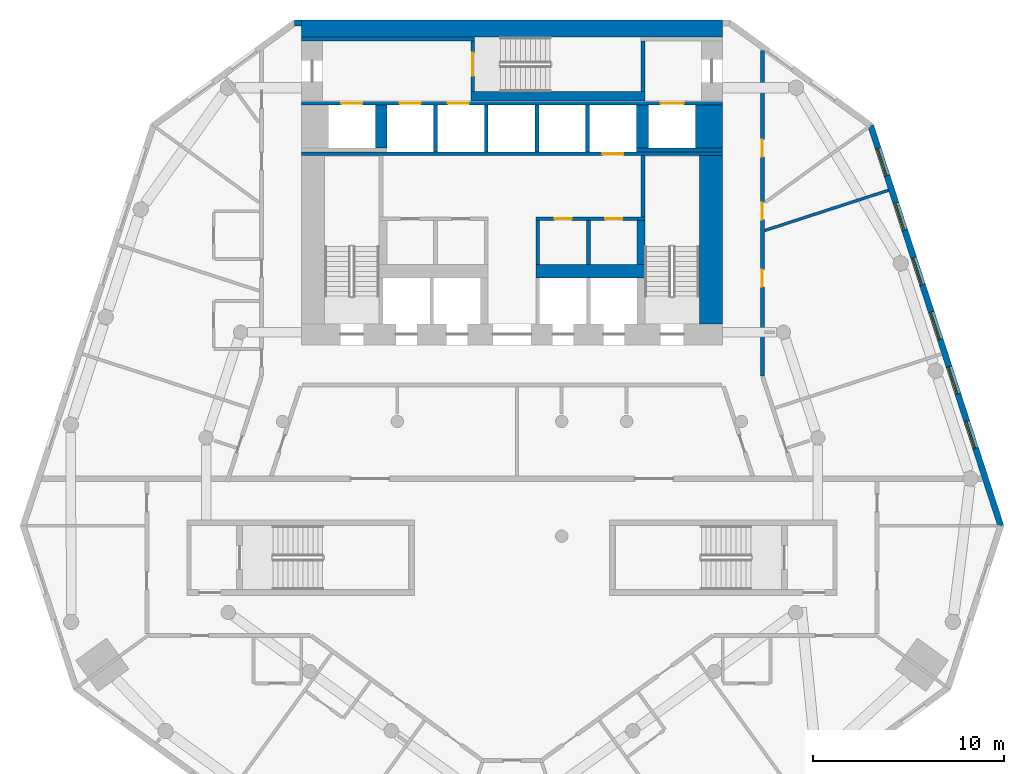
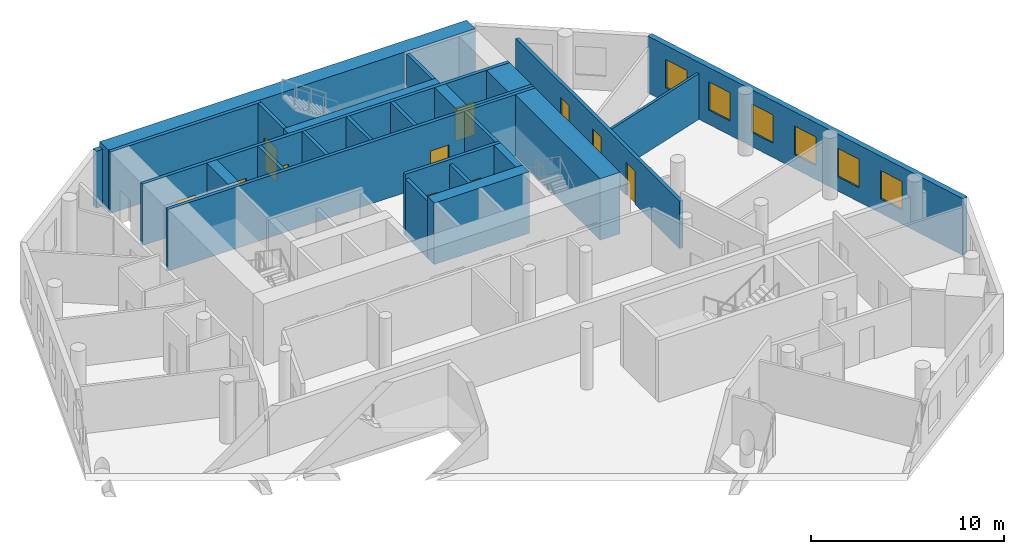
# One storey, part 6 of 9: 26 walls, 11 doors, 6 windows, 17 openings.
"""IFC4 building model written with IfcOpenShell, lengths in metres."""

from ifc_helpers import new_model, si_unit, direction, frame, frame_2d, origin, place, context, subcontext, project, spatial, rectangle, extrude, material, layer, layer_set, type_object, element, fill, save


model = new_model("IFC4")

# Units and contexts
model_context = context("Model", 3, precision=1e-05, world=origin(), true_north=direction((0.0, 1.0)))
body_context = subcontext(model_context, "Body", "Model", "MODEL_VIEW")
ifc_project = project(units=[si_unit("LENGTHUNIT", "METRE"), si_unit("AREAUNIT", "SQUARE_METRE"), si_unit("VOLUMEUNIT", "CUBIC_METRE"), si_unit("PLANEANGLEUNIT", "RADIAN"), si_unit("MASSUNIT", "GRAM", prefix="KILO")], contexts=[model_context])

# Site, building, storey
site_placement = place(None, origin())
site = spatial("IfcSite", under=ifc_project, at=site_placement, CompositionType="ELEMENT")
building_placement = place(site_placement, origin())
building = spatial("IfcBuilding", under=site, at=building_placement, Name="White Candle Pilgrim Tower", CompositionType="ELEMENT")
storey_placement = place(building_placement, frame((0.0, 0.0, 118.10009765625)))
storey = spatial("IfcBuildingStorey", under=building, at=storey_placement, Name="L26", CompositionType="ELEMENT", Elevation=118.10009765625)

# Walls
ifc_material_1 = material(Name="Concrete C60/75", Category="concrete")
ifc_layer_1 = layer(ifc_material_1, 1.39990234375)
ifc_layer_set_1 = layer_set([ifc_layer_1], Name="Core wall 1400 mm Concrete C60/75")
wall_type_1 = type_object("IfcWallType", Name="Core wall 1400 mm Concrete C60/75", PredefinedType="SHEAR", material=ifc_layer_set_1)
wall_1_placement = place(storey_placement, frame((80.300048828125, 81.300048828125, 0.0), z_axis=(0.0, 0.0, 1.0), x_axis=(0.0, 1.0, 0.0)))
element("IfcWall", 1, at=wall_1_placement, inside=storey, type_object=wall_type_1, Name="WL-L26-C42", PredefinedType="SHEAR", context=body_context, shape_type="SweptSolid", body=[
    extrude(rectangle(XDim=2.25, YDim=1.39990234375, at=frame_2d((1.125, 0.0))), origin(), (0.0, 0.0, 1.0), 3.89990234375),
])
ifc_layer_2 = layer(ifc_material_1, 0.199951171875)
ifc_layer_set_2 = layer_set([ifc_layer_2], Name="Core wall 200 mm Concrete C60/75")
wall_type_2 = type_object("IfcWallType", Name="Core wall 200 mm Concrete C60/75", PredefinedType="SHEAR", material=ifc_layer_set_2)
wall_2_placement = place(storey_placement, frame((76.5, 81.199951171875, 0.0), z_axis=(0.0, 0.0, 1.0), x_axis=(1.0, 0.0, 0.0)))
element("IfcWall", 2, at=wall_2_placement, inside=storey, type_object=wall_type_2, Name="WL-L26-C38", PredefinedType="SHEAR", context=body_context, shape_type="SweptSolid", body=[
    extrude(rectangle(XDim=4.5, YDim=0.199951171875, at=frame_2d((2.25, 0.0))), origin(), (0.0, 0.0, 1.0), 3.89990234375),
])

# Wall, openings, doors
wall_3_placement = place(storey_placement, frame((59.0, 83.64990234375, 0.0), z_axis=(0.0, 0.0, 1.0), x_axis=(1.0, 0.0, 0.0)))
wall_3 = element("IfcWall", 3, at=wall_3_placement, inside=storey, type_object=wall_type_2, Name="WL-L26-C43", PredefinedType="SHEAR", context=body_context, shape_type="SweptSolid", body=[
    extrude(rectangle(XDim=22.0, YDim=0.199951171875, at=frame_2d((11.0, 0.0))), origin(), (0.0, 0.0, 1.0), 3.89990234375),
])
opening_1_placement = place(wall_3_placement, frame((5.125, 0.0, 0.0)))
opening_1 = element("IfcOpeningElement", 4, at=opening_1_placement, cuts=wall_3, Name="Opening T08-011", PredefinedType="OPENING", context=body_context, shape_type="SweptSolid", body=[
    extrude(rectangle(XDim=1.10009765625, YDim=2.10009765625, at=frame_2d((0.550048828125, 1.050048828125))), frame((0.0, 0.10986328125, 0.0), z_axis=(0.0, -1.0, 0.0), x_axis=(1.0, 0.0, 0.0)), (0.0, 0.0, 1.0), 0.219970703125),
])
opening_2_placement = place(wall_3_placement, frame((7.64990234375, 0.0, 0.0)))
opening_2 = element("IfcOpeningElement", 5, at=opening_2_placement, cuts=wall_3, Name="Opening T08-012", PredefinedType="OPENING", context=body_context, shape_type="SweptSolid", body=[
    extrude(rectangle(XDim=1.10009765625, YDim=2.10009765625, at=frame_2d((0.550048828125, 1.050048828125))), frame((0.0, 0.10986328125, 0.0), z_axis=(0.0, -1.0, 0.0), x_axis=(1.0, 0.0, 0.0)), (0.0, 0.0, 1.0), 0.219970703125),
])
opening_3_placement = place(wall_3_placement, frame((18.77490234375, 0.0, 0.0)))
opening_3 = element("IfcOpeningElement", 6, at=opening_3_placement, cuts=wall_3, Name="Opening T08-018", PredefinedType="OPENING", context=body_context, shape_type="SweptSolid", body=[
    extrude(rectangle(XDim=1.199951171875, YDim=2.10009765625, at=frame_2d((0.60009765625, 1.050048828125))), frame((0.0, 0.10986328125, 0.0), z_axis=(0.0, -1.0, 0.0), x_axis=(1.0, 0.0, 0.0)), (0.0, 0.0, 1.0), 0.219970703125),
])
opening_4_placement = place(wall_3_placement, frame((2.074951171875, 0.0, 0.0)))
opening_4 = element("IfcOpeningElement", 7, at=opening_4_placement, cuts=wall_3, Name="Opening T08-019", PredefinedType="OPENING", context=body_context, shape_type="SweptSolid", body=[
    extrude(rectangle(XDim=1.10009765625, YDim=2.10009765625, at=frame_2d((0.550048828125, 1.050048828125))), frame((0.0, 0.10986328125, 0.0), z_axis=(0.0, -1.0, 0.0), x_axis=(1.0, 0.0, 0.0)), (0.0, 0.0, 1.0), 0.219970703125),
])
ifc_material_2 = material(Name="Stainless steel", Category="steel")
door_type_1 = type_object("IfcDoorType", Name="Lift landing door 1100 x 2100 EI 60", OperationType="DOUBLE_DOOR_SLIDING", PredefinedType="DOOR", material=ifc_material_2)
door_1_placement = place(opening_1_placement, origin())
door_1 = element("IfcDoor", 8, at=door_1_placement, inside=storey, type_object=door_type_1, Name="Door T08-011", OperationType="DOUBLE_DOOR_SLIDING", OverallHeight=2.10009765625, OverallWidth=1.10009765625, PredefinedType="DOOR", context=body_context, shape_type="SweptSolid", body=[
    extrude(rectangle(XDim=1.10009765625, YDim=2.10009765625, at=frame_2d((0.550048828125, 1.050048828125))), frame((0.0, 0.02490234375, 0.0), z_axis=(0.0, -1.0, 0.0), x_axis=(1.0, 0.0, 0.0)), (0.0, 0.0, 1.0), 0.050048828125),
])
fill(opening_1, door_1)
door_2_placement = place(opening_2_placement, origin())
door_2 = element("IfcDoor", 9, at=door_2_placement, inside=storey, type_object=door_type_1, Name="Door T08-012", OperationType="DOUBLE_DOOR_SLIDING", OverallHeight=2.10009765625, OverallWidth=1.10009765625, PredefinedType="DOOR", context=body_context, shape_type="SweptSolid", body=[
    extrude(rectangle(XDim=1.10009765625, YDim=2.10009765625, at=frame_2d((0.550048828125, 1.050048828125))), frame((0.0, 0.02490234375, 0.0), z_axis=(0.0, -1.0, 0.0), x_axis=(1.0, 0.0, 0.0)), (0.0, 0.0, 1.0), 0.050048828125),
])
fill(opening_2, door_2)
door_3_placement = place(opening_4_placement, origin())
door_3 = element("IfcDoor", 10, at=door_3_placement, inside=storey, type_object=door_type_1, Name="Door T08-019", OperationType="DOUBLE_DOOR_SLIDING", OverallHeight=2.10009765625, OverallWidth=1.10009765625, PredefinedType="DOOR", context=body_context, shape_type="SweptSolid", body=[
    extrude(rectangle(XDim=1.10009765625, YDim=2.10009765625, at=frame_2d((0.550048828125, 1.050048828125))), frame((0.0, 0.02490234375, 0.0), z_axis=(0.0, -1.0, 0.0), x_axis=(1.0, 0.0, 0.0)), (0.0, 0.0, 1.0), 0.050048828125),
])
fill(opening_4, door_3)
door_type_2 = type_object("IfcDoorType", Name="Lift landing door 1200 x 2100 E 60", OperationType="DOUBLE_DOOR_SLIDING", PredefinedType="DOOR", material=ifc_material_2)
door_4_placement = place(opening_3_placement, origin())
door_4 = element("IfcDoor", 11, at=door_4_placement, inside=storey, type_object=door_type_2, Name="Door T08-018", OperationType="DOUBLE_DOOR_SLIDING", OverallHeight=2.10009765625, OverallWidth=1.199951171875, PredefinedType="DOOR", context=body_context, shape_type="SweptSolid", body=[
    extrude(rectangle(XDim=1.199951171875, YDim=2.10009765625, at=frame_2d((0.60009765625, 1.050048828125))), frame((0.0, 0.02490234375, 0.0), z_axis=(0.0, -1.0, 0.0), x_axis=(1.0, 0.0, 0.0)), (0.0, 0.0, 1.0), 0.050048828125),
])
fill(opening_3, door_4)

ifc_material_3 = material(Name="Gypsum board on steel studs", Category="steel")
ifc_layer_3 = layer(ifc_material_3, 0.199951171875)
ifc_layer_set_3 = layer_set([ifc_layer_3], Name="Corridor wall 200 mm EI 45")
wall_type_3 = type_object("IfcWallType", Name="Corridor wall 200 mm EI 45", PredefinedType="PARTITIONING", material=ifc_layer_set_3)
wall_4_placement = place(storey_placement, frame((83.10009765625, 86.396240234375, 0.0), z_axis=(0.0, 0.0, 1.0), x_axis=(0.0, -1.0, 0.0)))
wall_4 = element("IfcWall", 12, at=wall_4_placement, inside=storey, type_object=wall_type_3, Name="WL-L26-P004", PredefinedType="PARTITIONING", context=body_context, shape_type="SweptSolid", body=[
    extrude(rectangle(XDim=17.01123046875, YDim=0.199951171875, at=frame_2d((8.505615234375, 0.0))), origin(), (0.0, 0.0, 1.0), 3.0),
])
opening_5_placement = place(wall_4_placement, frame((4.6533203125, 0.0, 0.0)))
opening_5 = element("IfcOpeningElement", 13, at=opening_5_placement, cuts=wall_4, Name="Opening T08-124", PredefinedType="OPENING", context=body_context, shape_type="SweptSolid", body=[
    extrude(rectangle(XDim=0.89990234375, YDim=2.10009765625, at=frame_2d((0.449951171875, 1.050048828125))), frame((0.0, 0.10986328125, 0.0), z_axis=(0.0, -1.0, 0.0), x_axis=(1.0, 0.0, 0.0)), (0.0, 0.0, 1.0), 0.219970703125),
])
opening_6_placement = place(wall_4_placement, frame((7.943115234375, 0.0, 0.0)))
opening_6 = element("IfcOpeningElement", 14, at=opening_6_placement, cuts=wall_4, Name="Opening T08-125", PredefinedType="OPENING", context=body_context, shape_type="SweptSolid", body=[
    extrude(rectangle(XDim=0.89990234375, YDim=2.10009765625, at=frame_2d((0.449951171875, 1.050048828125))), frame((0.0, 0.10986328125, 0.0), z_axis=(0.0, -1.0, 0.0), x_axis=(1.0, 0.0, 0.0)), (0.0, 0.0, 1.0), 0.219970703125),
])
opening_7_placement = place(wall_4_placement, frame((11.457763671875, 0.0, 0.0)))
opening_7 = element("IfcOpeningElement", 15, at=opening_7_placement, cuts=wall_4, Name="Opening T08-126", PredefinedType="OPENING", context=body_context, shape_type="SweptSolid", body=[
    extrude(rectangle(XDim=0.89990234375, YDim=2.10009765625, at=frame_2d((0.449951171875, 1.050048828125))), frame((0.0, 0.10986328125, 0.0), z_axis=(0.0, -1.0, 0.0), x_axis=(1.0, 0.0, 0.0)), (0.0, 0.0, 1.0), 0.219970703125),
])
ifc_material_4 = material(Name="Steel door leaf", Category="steel")
door_type_3 = type_object("IfcDoorType", Name="Fire door 900 x 2100 EI 30", OperationType="NOTDEFINED", PredefinedType="DOOR", material=ifc_material_4)
door_5_placement = place(opening_5_placement, origin())
door_5 = element("IfcDoor", 16, at=door_5_placement, inside=storey, type_object=door_type_3, Name="Door T08-124", OperationType="SINGLE_SWING_RIGHT", OverallHeight=2.10009765625, OverallWidth=0.89990234375, PredefinedType="DOOR", context=body_context, shape_type="SweptSolid", body=[
    extrude(rectangle(XDim=0.89990234375, YDim=2.10009765625, at=frame_2d((0.449951171875, 1.050048828125))), frame((0.0, 0.02490234375, 0.0), z_axis=(0.0, -1.0, 0.0), x_axis=(1.0, 0.0, 0.0)), (0.0, 0.0, 1.0), 0.050048828125),
])
fill(opening_5, door_5)
door_6_placement = place(opening_6_placement, origin())
door_6 = element("IfcDoor", 17, at=door_6_placement, inside=storey, type_object=door_type_3, Name="Door T08-125", OperationType="SINGLE_SWING_LEFT", OverallHeight=2.10009765625, OverallWidth=0.89990234375, PredefinedType="DOOR", context=body_context, shape_type="SweptSolid", body=[
    extrude(rectangle(XDim=0.89990234375, YDim=2.10009765625, at=frame_2d((0.449951171875, 1.050048828125))), frame((0.0, 0.02490234375, 0.0), z_axis=(0.0, -1.0, 0.0), x_axis=(1.0, 0.0, 0.0)), (0.0, 0.0, 1.0), 0.050048828125),
])
fill(opening_6, door_6)
door_7_placement = place(opening_7_placement, origin())
door_7 = element("IfcDoor", 18, at=door_7_placement, inside=storey, type_object=door_type_3, Name="Door T08-126", OperationType="SINGLE_SWING_RIGHT", OverallHeight=2.10009765625, OverallWidth=0.89990234375, PredefinedType="DOOR", context=body_context, shape_type="SweptSolid", body=[
    extrude(rectangle(XDim=0.89990234375, YDim=2.10009765625, at=frame_2d((0.449951171875, 1.050048828125))), frame((0.0, 0.02490234375, 0.0), z_axis=(0.0, -1.0, 0.0), x_axis=(1.0, 0.0, 0.0)), (0.0, 0.0, 1.0), 0.050048828125),
])
fill(opening_7, door_7)

# Wall, openings, windows
ifc_material_5 = material(Name="Precast concrete C40/50", Category="concrete")
ifc_layer_4 = layer(ifc_material_5, 0.320068359375)
ifc_layer_set_4 = layer_set([ifc_layer_4], Name="Facade wall EW1 precast concrete C40/50 pier wall with timber-lined reveals")
wall_type_4 = type_object("IfcWallType", Name="Facade wall EW1 precast concrete C40/50 pier wall with timber-lined reveals", PredefinedType="SOLIDWALL", material=ifc_layer_set_4)
wall_5_placement = place(storey_placement, frame((95.568603515625, 61.54296875, 0.0), z_axis=(0.0, 0.0, 1.0), x_axis=(-0.309014593053, 0.951057296529, 0.0)))
wall_5 = element("IfcWall", 19, at=wall_5_placement, inside=storey, type_object=wall_type_4, Name="Facade wall L26 ENE", PredefinedType="SOLIDWALL", context=body_context, shape_type="SweptSolid", body=[
    extrude(rectangle(XDim=22.01123046875, YDim=0.320068359375, at=frame_2d((11.005615234375, 0.0))), origin(), (0.0, 0.0, 1.0), 3.599853515625),
])
opening_8_placement = place(wall_5_placement, frame((4.255615234375, 0.0, 0.89990234375)))
opening_8 = element("IfcOpeningElement", 20, at=opening_8_placement, cuts=wall_5, Name="Opening W1", PredefinedType="OPENING", context=body_context, shape_type="SweptSolid", body=[
    extrude(rectangle(XDim=1.5, YDim=1.800048828125, at=frame_2d((0.75, 0.89990234375))), frame((0.0, 0.169921875, 0.0), z_axis=(0.0, -1.0, 0.0), x_axis=(1.0, 0.0, 0.0)), (0.0, 0.0, 1.0), 0.340087890625),
])
opening_9_placement = place(wall_5_placement, frame((7.255615234375, 0.0, 0.89990234375)))
opening_9 = element("IfcOpeningElement", 21, at=opening_9_placement, cuts=wall_5, Name="Opening W1", PredefinedType="OPENING", context=body_context, shape_type="SweptSolid", body=[
    extrude(rectangle(XDim=1.5, YDim=1.800048828125, at=frame_2d((0.75, 0.89990234375))), frame((0.0, 0.169921875, 0.0), z_axis=(0.0, -1.0, 0.0), x_axis=(1.0, 0.0, 0.0)), (0.0, 0.0, 1.0), 0.340087890625),
])
opening_10_placement = place(wall_5_placement, frame((10.255615234375, 0.0, 0.89990234375)))
opening_10 = element("IfcOpeningElement", 22, at=opening_10_placement, cuts=wall_5, Name="Opening W1", PredefinedType="OPENING", context=body_context, shape_type="SweptSolid", body=[
    extrude(rectangle(XDim=1.5, YDim=1.800048828125, at=frame_2d((0.75, 0.89990234375))), frame((0.0, 0.169921875, 0.0), z_axis=(0.0, -1.0, 0.0), x_axis=(1.0, 0.0, 0.0)), (0.0, 0.0, 1.0), 0.340087890625),
])
opening_11_placement = place(wall_5_placement, frame((13.255615234375, 0.0, 0.89990234375)))
opening_11 = element("IfcOpeningElement", 23, at=opening_11_placement, cuts=wall_5, Name="Opening W1", PredefinedType="OPENING", context=body_context, shape_type="SweptSolid", body=[
    extrude(rectangle(XDim=1.5, YDim=1.800048828125, at=frame_2d((0.75, 0.89990234375))), frame((0.0, 0.169921875, 0.0), z_axis=(0.0, -1.0, 0.0), x_axis=(1.0, 0.0, 0.0)), (0.0, 0.0, 1.0), 0.340087890625),
])
opening_12_placement = place(wall_5_placement, frame((16.255615234375, 0.0, 0.89990234375)))
opening_12 = element("IfcOpeningElement", 24, at=opening_12_placement, cuts=wall_5, Name="Opening W1", PredefinedType="OPENING", context=body_context, shape_type="SweptSolid", body=[
    extrude(rectangle(XDim=1.5, YDim=1.800048828125, at=frame_2d((0.75, 0.89990234375))), frame((0.0, 0.169921875, 0.0), z_axis=(0.0, -1.0, 0.0), x_axis=(1.0, 0.0, 0.0)), (0.0, 0.0, 1.0), 0.340087890625),
])
opening_13_placement = place(wall_5_placement, frame((19.255615234375, 0.0, 0.89990234375)))
opening_13 = element("IfcOpeningElement", 25, at=opening_13_placement, cuts=wall_5, Name="Opening W1", PredefinedType="OPENING", context=body_context, shape_type="SweptSolid", body=[
    extrude(rectangle(XDim=1.5, YDim=1.800048828125, at=frame_2d((0.75, 0.89990234375))), frame((0.0, 0.169921875, 0.0), z_axis=(0.0, -1.0, 0.0), x_axis=(1.0, 0.0, 0.0)), (0.0, 0.0, 1.0), 0.340087890625),
])
ifc_material_6 = material(Name="Timber frame with triple glazing", Category="wood")
window_type = type_object("IfcWindowType", Name="Window W1 1500x1800 timber frame triple glazing", PartitioningType="SINGLE_PANEL", PredefinedType="WINDOW", material=ifc_material_6)
window_1_placement = place(opening_8_placement, origin())
window_1 = element("IfcWindow", 26, at=window_1_placement, inside=storey, type_object=window_type, Name="Window W1 L26 ENE 2", OverallHeight=1.800048828125, OverallWidth=1.5, PartitioningType="SINGLE_PANEL", PredefinedType="WINDOW", context=body_context, shape_type="SweptSolid", body=[
    extrude(rectangle(XDim=1.5, YDim=1.800048828125, at=frame_2d((0.75, 0.89990234375))), frame((0.0, 0.070068359375, 0.0), z_axis=(0.0, -1.0, 0.0), x_axis=(1.0, 0.0, 0.0)), (0.0, 0.0, 1.0), 0.06005859375),
])
fill(opening_8, window_1)
window_2_placement = place(opening_9_placement, origin())
window_2 = element("IfcWindow", 27, at=window_2_placement, inside=storey, type_object=window_type, Name="Window W1 L26 ENE 3", OverallHeight=1.800048828125, OverallWidth=1.5, PartitioningType="SINGLE_PANEL", PredefinedType="WINDOW", context=body_context, shape_type="SweptSolid", body=[
    extrude(rectangle(XDim=1.5, YDim=1.800048828125, at=frame_2d((0.75, 0.89990234375))), frame((0.0, 0.070068359375, 0.0), z_axis=(0.0, -1.0, 0.0), x_axis=(1.0, 0.0, 0.0)), (0.0, 0.0, 1.0), 0.06005859375),
])
fill(opening_9, window_2)
window_3_placement = place(opening_10_placement, origin())
window_3 = element("IfcWindow", 28, at=window_3_placement, inside=storey, type_object=window_type, Name="Window W1 L26 ENE 4", OverallHeight=1.800048828125, OverallWidth=1.5, PartitioningType="SINGLE_PANEL", PredefinedType="WINDOW", context=body_context, shape_type="SweptSolid", body=[
    extrude(rectangle(XDim=1.5, YDim=1.800048828125, at=frame_2d((0.75, 0.89990234375))), frame((0.0, 0.070068359375, 0.0), z_axis=(0.0, -1.0, 0.0), x_axis=(1.0, 0.0, 0.0)), (0.0, 0.0, 1.0), 0.06005859375),
])
fill(opening_10, window_3)
window_4_placement = place(opening_11_placement, origin())
window_4 = element("IfcWindow", 29, at=window_4_placement, inside=storey, type_object=window_type, Name="Window W1 L26 ENE 5", OverallHeight=1.800048828125, OverallWidth=1.5, PartitioningType="SINGLE_PANEL", PredefinedType="WINDOW", context=body_context, shape_type="SweptSolid", body=[
    extrude(rectangle(XDim=1.5, YDim=1.800048828125, at=frame_2d((0.75, 0.89990234375))), frame((0.0, 0.070068359375, 0.0), z_axis=(0.0, -1.0, 0.0), x_axis=(1.0, 0.0, 0.0)), (0.0, 0.0, 1.0), 0.06005859375),
])
fill(opening_11, window_4)
window_5_placement = place(opening_12_placement, origin())
window_5 = element("IfcWindow", 30, at=window_5_placement, inside=storey, type_object=window_type, Name="Window W1 L26 ENE 6", OverallHeight=1.800048828125, OverallWidth=1.5, PartitioningType="SINGLE_PANEL", PredefinedType="WINDOW", context=body_context, shape_type="SweptSolid", body=[
    extrude(rectangle(XDim=1.5, YDim=1.800048828125, at=frame_2d((0.75, 0.89990234375))), frame((0.0, 0.070068359375, 0.0), z_axis=(0.0, -1.0, 0.0), x_axis=(1.0, 0.0, 0.0)), (0.0, 0.0, 1.0), 0.06005859375),
])
fill(opening_12, window_5)
window_6_placement = place(opening_13_placement, origin())
window_6 = element("IfcWindow", 31, at=window_6_placement, inside=storey, type_object=window_type, Name="Window W1 L26 ENE 7", OverallHeight=1.800048828125, OverallWidth=1.5, PartitioningType="SINGLE_PANEL", PredefinedType="WINDOW", context=body_context, shape_type="SweptSolid", body=[
    extrude(rectangle(XDim=1.5, YDim=1.800048828125, at=frame_2d((0.75, 0.89990234375))), frame((0.0, 0.070068359375, 0.0), z_axis=(0.0, -1.0, 0.0), x_axis=(1.0, 0.0, 0.0)), (0.0, 0.0, 1.0), 0.06005859375),
])
fill(opening_13, window_6)

# Walls
wall_6_placement = place(storey_placement, frame((59.0, 87.840087890625, 0.0), z_axis=(0.0, 0.0, 1.0), x_axis=(-1.0, 0.0, 0.0)))
element("IfcWall", 32, at=wall_6_placement, inside=storey, type_object=wall_type_4, Name="Facade wall L26 N", PredefinedType="SOLIDWALL", context=body_context, shape_type="SweptSolid", body=[
    extrude(rectangle(XDim=0.385009765625, YDim=0.320068359375, at=frame_2d((0.1923828125, 0.0))), origin(), (0.0, 0.0, 1.0), 3.599853515625),
])
ifc_layer_5 = layer(ifc_material_3, 0.199951171875)
ifc_layer_set_5 = layer_set([ifc_layer_5], Name="Lobby wall 200 mm EI 60")
wall_type_5 = type_object("IfcWallType", Name="Lobby wall 200 mm EI 60", PredefinedType="PARTITIONING", material=ifc_layer_set_5)
for number, where, z_axis, x_axis, name in (
    (33, (71.35009765625, 75.199951171875, 0.0), (0.0, 0.0, 1.0), (0.0, 1.0, 0.0), "WL-L26-C25"),
    (34, (74.0, 75.199951171875, 0.0), (0.0, 0.0, 1.0), (0.0, 1.0, 0.0), "WL-L26-C26"),
):
    element("IfcWall", number, at=place(storey_placement, frame(where, z_axis=z_axis, x_axis=x_axis)), inside=storey, type_object=wall_type_5, Name=name, PredefinedType="PARTITIONING", context=body_context, shape_type="SweptSolid", body=[
        extrude(rectangle(XDim=2.300048828125, YDim=0.199951171875, at=frame_2d((1.14990234375, 0.0))), origin(), (0.0, 0.0, 1.0), 3.599853515625),
    ])
ifc_layer_6 = layer(ifc_material_3, 0.14990234375)
ifc_layer_set_6 = layer_set([ifc_layer_6], Name="Partition 150 mm EI 60")
wall_type_6 = type_object("IfcWallType", Name="Partition 150 mm EI 60", PredefinedType="PARTITIONING", material=ifc_layer_set_6)
wall_7_placement = place(storey_placement, frame((89.697998046875, 79.093505859375, 0.0), z_axis=(0.0, 0.0, 1.0), x_axis=(-0.951048034786, -0.309043096557, 0.0)))
element("IfcWall", 35, at=wall_7_placement, inside=storey, type_object=wall_type_6, Name="WL-L26-P048", PredefinedType="PARTITIONING", context=body_context, shape_type="SweptSolid", body=[
    extrude(rectangle(XDim=6.80810546875, YDim=0.14990234375, at=frame_2d((3.404052734375, 0.0))), origin(), (0.0, 0.0, 1.0), 2.89990234375),
])
ifc_layer_7 = layer(ifc_material_1, 0.199951171875)
ifc_layer_set_7 = layer_set([ifc_layer_7], Name="Shaft wall 200 mm Concrete C60/75")
wall_type_7 = type_object("IfcWallType", Name="Shaft wall 200 mm Concrete C60/75", PredefinedType="SHEAR", material=ifc_layer_set_7)
for number, where, z_axis, x_axis, name in (
    (36, (66.0, 81.10009765625, 0.0), (0.0, 0.0, 1.0), (0.0, 1.0, 0.0), "WL-L26-C34"),
    (37, (68.64990234375, 81.10009765625, 0.0), (0.0, 0.0, 1.0), (0.0, 1.0, 0.0), "WL-L26-C35"),
    (38, (71.300048828125, 81.10009765625, 0.0), (0.0, 0.0, 1.0), (0.0, 1.0, 0.0), "WL-L26-C36"),
    (39, (73.949951171875, 81.10009765625, 0.0), (0.0, 0.0, 1.0), (0.0, 1.0, 0.0), "WL-L26-C37"),
):
    element("IfcWall", number, at=place(storey_placement, frame(where, z_axis=z_axis, x_axis=x_axis)), inside=storey, type_object=wall_type_7, Name=name, PredefinedType="SHEAR", context=body_context, shape_type="SweptSolid", body=[
        extrude(rectangle(XDim=2.449951171875, YDim=0.199951171875, at=frame_2d((1.22509765625, 0.0))), origin(), (0.0, 0.0, 1.0), 3.89990234375),
    ])
ifc_layer_8 = layer(ifc_material_1, 0.60009765625)
ifc_layer_set_8 = layer_set([ifc_layer_8], Name="Shaft wall 600 mm Concrete C60/75")
wall_type_8 = type_object("IfcWallType", Name="Shaft wall 600 mm Concrete C60/75", PredefinedType="SHEAR", material=ifc_layer_set_8)
wall_8_placement = place(storey_placement, frame((63.14990234375, 81.300048828125, 0.0), z_axis=(0.0, 0.0, 1.0), x_axis=(0.0, 1.0, 0.0)))
element("IfcWall", 40, at=wall_8_placement, inside=storey, type_object=wall_type_8, Name="WL-L26-C40", PredefinedType="SHEAR", context=body_context, shape_type="SweptSolid", body=[
    extrude(rectangle(XDim=2.25, YDim=0.60009765625, at=frame_2d((1.125, 0.0))), origin(), (0.0, 0.0, 1.0), 3.89990234375),
])
ifc_layer_9 = layer(ifc_material_1, 0.64990234375)
ifc_layer_set_9 = layer_set([ifc_layer_9], Name="Shaft wall 650 mm Concrete C60/75")
wall_type_9 = type_object("IfcWallType", Name="Shaft wall 650 mm Concrete C60/75", PredefinedType="SHEAR", material=ifc_layer_set_9)
wall_9_placement = place(storey_placement, frame((76.824951171875, 81.300048828125, 0.0), z_axis=(0.0, 0.0, 1.0), x_axis=(0.0, 1.0, 0.0)))
element("IfcWall", 41, at=wall_9_placement, inside=storey, type_object=wall_type_9, Name="WL-L26-C41", PredefinedType="SHEAR", context=body_context, shape_type="SweptSolid", body=[
    extrude(rectangle(XDim=2.25, YDim=0.64990234375, at=frame_2d((1.125, 0.0))), origin(), (0.0, 0.0, 1.0), 3.89990234375),
])
ifc_layer_10 = layer(ifc_material_1, 1.199951171875)
ifc_layer_set_10 = layer_set([ifc_layer_10], Name="Stair shaft wall 1200 mm Concrete C60/75")
wall_type_10 = type_object("IfcWallType", Name="Stair shaft wall 1200 mm Concrete C60/75", PredefinedType="SHEAR", material=ifc_layer_set_10)
wall_10_placement = place(storey_placement, frame((80.39990234375, 72.10009765625, 0.0), z_axis=(0.0, 0.0, 1.0), x_axis=(0.0, 1.0, 0.0)))
element("IfcWall", 42, at=wall_10_placement, inside=storey, type_object=wall_type_10, Name="WL-L26-C19", PredefinedType="SHEAR", context=body_context, shape_type="SweptSolid", body=[
    extrude(rectangle(XDim=8.7998046875, YDim=1.199951171875, at=frame_2d((4.39990234375, 0.0))), origin(), (0.0, 0.0, 1.0), 3.89990234375),
])

# Wall, openings, doors
ifc_layer_11 = layer(ifc_material_1, 0.199951171875)
ifc_layer_set_11 = layer_set([ifc_layer_11], Name="Stair shaft wall 200 mm Concrete C60/75")
wall_type_11 = type_object("IfcWallType", Name="Stair shaft wall 200 mm Concrete C60/75", PredefinedType="SHEAR", material=ifc_layer_set_11)
wall_11_placement = place(storey_placement, frame((71.25, 77.60009765625, 0.0), z_axis=(0.0, 0.0, 1.0), x_axis=(1.0, 0.0, 0.0)))
wall_11 = element("IfcWall", 43, at=wall_11_placement, inside=storey, type_object=wall_type_11, Name="WL-L26-C29", PredefinedType="SHEAR", context=body_context, shape_type="SweptSolid", body=[
    extrude(rectangle(XDim=5.699951171875, YDim=0.199951171875, at=frame_2d((2.85009765625, 0.0))), origin(), (0.0, 0.0, 1.0), 3.89990234375),
])
opening_14_placement = place(wall_11_placement, frame((0.97509765625, 0.0, 0.0)))
opening_14 = element("IfcOpeningElement", 44, at=opening_14_placement, cuts=wall_11, Name="Opening T08-022", PredefinedType="OPENING", context=body_context, shape_type="SweptSolid", body=[
    extrude(rectangle(XDim=0.89990234375, YDim=2.10009765625, at=frame_2d((0.449951171875, 1.050048828125))), frame((0.0, 0.10986328125, 0.0), z_axis=(0.0, -1.0, 0.0), x_axis=(1.0, 0.0, 0.0)), (0.0, 0.0, 1.0), 0.219970703125),
])
opening_15_placement = place(wall_11_placement, frame((3.625, 0.0, 0.0)))
opening_15 = element("IfcOpeningElement", 45, at=opening_15_placement, cuts=wall_11, Name="Opening T08-023", PredefinedType="OPENING", context=body_context, shape_type="SweptSolid", body=[
    extrude(rectangle(XDim=0.89990234375, YDim=2.10009765625, at=frame_2d((0.449951171875, 1.050048828125))), frame((0.0, 0.10986328125, 0.0), z_axis=(0.0, -1.0, 0.0), x_axis=(1.0, 0.0, 0.0)), (0.0, 0.0, 1.0), 0.219970703125),
])
door_8_placement = place(opening_14_placement, origin())
door_8 = element("IfcDoor", 46, at=door_8_placement, inside=storey, type_object=door_type_3, Name="Door T08-022", OperationType="SINGLE_SWING_RIGHT", OverallHeight=2.10009765625, OverallWidth=0.89990234375, PredefinedType="DOOR", context=body_context, shape_type="SweptSolid", body=[
    extrude(rectangle(XDim=0.89990234375, YDim=2.10009765625, at=frame_2d((0.449951171875, 1.050048828125))), frame((0.0, 0.02490234375, 0.0), z_axis=(0.0, -1.0, 0.0), x_axis=(1.0, 0.0, 0.0)), (0.0, 0.0, 1.0), 0.050048828125),
])
fill(opening_14, door_8)
door_9_placement = place(opening_15_placement, origin())
door_9 = element("IfcDoor", 47, at=door_9_placement, inside=storey, type_object=door_type_3, Name="Door T08-023", OperationType="SINGLE_SWING_LEFT", OverallHeight=2.10009765625, OverallWidth=0.89990234375, PredefinedType="DOOR", context=body_context, shape_type="SweptSolid", body=[
    extrude(rectangle(XDim=0.89990234375, YDim=2.10009765625, at=frame_2d((0.449951171875, 1.050048828125))), frame((0.0, 0.02490234375, 0.0), z_axis=(0.0, -1.0, 0.0), x_axis=(1.0, 0.0, 0.0)), (0.0, 0.0, 1.0), 0.050048828125),
])
fill(opening_15, door_9)

# Wall
wall_12_placement = place(storey_placement, frame((76.85009765625, 77.699951171875, 0.0), z_axis=(0.0, 0.0, 1.0), x_axis=(0.0, 1.0, 0.0)))
element("IfcWall", 48, at=wall_12_placement, inside=storey, type_object=wall_type_11, Name="WL-L26-C31", PredefinedType="SHEAR", context=body_context, shape_type="SweptSolid", body=[
    extrude(rectangle(XDim=3.199951171875, YDim=0.199951171875, at=frame_2d((1.60009765625, 0.0))), origin(), (0.0, 0.0, 1.0), 3.89990234375),
])

# Wall, opening, door
wall_13_placement = place(storey_placement, frame((59.0, 81.0, 0.0), z_axis=(0.0, 0.0, 1.0), x_axis=(1.0, 0.0, 0.0)))
wall_13 = element("IfcWall", 49, at=wall_13_placement, inside=storey, type_object=wall_type_11, Name="WL-L26-C32", PredefinedType="SHEAR", context=body_context, shape_type="SweptSolid", body=[
    extrude(rectangle(XDim=22.0, YDim=0.199951171875, at=frame_2d((11.0, 0.0))), origin(), (0.0, 0.0, 1.0), 3.89990234375),
])
opening_16_placement = place(wall_13_placement, frame((15.72509765625, 0.0, 0.0)))
opening_16 = element("IfcOpeningElement", 50, at=opening_16_placement, cuts=wall_13, Name="Opening T08-013", PredefinedType="OPENING", context=body_context, shape_type="SweptSolid", body=[
    extrude(rectangle(XDim=1.10009765625, YDim=2.10009765625, at=frame_2d((0.550048828125, 1.050048828125))), frame((0.0, 0.10986328125, 0.0), z_axis=(0.0, -1.0, 0.0), x_axis=(1.0, 0.0, 0.0)), (0.0, 0.0, 1.0), 0.219970703125),
])
door_type_4 = type_object("IfcDoorType", Name="Lift landing door 1100 x 2100 E 60", OperationType="DOUBLE_DOOR_SLIDING", PredefinedType="DOOR", material=ifc_material_2)
door_10_placement = place(opening_16_placement, origin())
door_10 = element("IfcDoor", 51, at=door_10_placement, inside=storey, type_object=door_type_4, Name="Door T08-013", OperationType="DOUBLE_DOOR_SLIDING", OverallHeight=2.10009765625, OverallWidth=1.10009765625, PredefinedType="DOOR", context=body_context, shape_type="SweptSolid", body=[
    extrude(rectangle(XDim=1.10009765625, YDim=2.10009765625, at=frame_2d((0.550048828125, 1.050048828125))), frame((0.0, 0.02490234375, 0.0), z_axis=(0.0, -1.0, 0.0), x_axis=(1.0, 0.0, 0.0)), (0.0, 0.0, 1.0), 0.050048828125),
])
fill(opening_16, door_10)

wall_14_placement = place(storey_placement, frame((67.949951171875, 84.25, 0.0), z_axis=(0.0, 0.0, 1.0), x_axis=(0.0, 1.0, 0.0)))
wall_14 = element("IfcWall", 52, at=wall_14_placement, inside=storey, type_object=wall_type_11, Name="WL-L26-C47", PredefinedType="SHEAR", context=body_context, shape_type="SweptSolid", body=[
    extrude(rectangle(XDim=2.64990234375, YDim=0.199951171875, at=frame_2d((1.324951171875, 0.0))), origin(), (0.0, 0.0, 1.0), 3.89990234375),
])
opening_17_placement = place(wall_14_placement, frame((0.824951171875, 0.0, 0.0)))
opening_17 = element("IfcOpeningElement", 53, at=opening_17_placement, cuts=wall_14, Name="Opening T08-003", PredefinedType="OPENING", context=body_context, shape_type="SweptSolid", body=[
    extrude(rectangle(XDim=1.199951171875, YDim=2.10009765625, at=frame_2d((0.60009765625, 1.050048828125))), frame((0.0, 0.10986328125, 0.0), z_axis=(0.0, -1.0, 0.0), x_axis=(1.0, 0.0, 0.0)), (0.0, 0.0, 1.0), 0.219970703125),
])
door_type_5 = type_object("IfcDoorType", Name="Fire door 1200 x 2100 EI 60", OperationType="NOTDEFINED", PredefinedType="DOOR", material=ifc_material_4)
door_11_placement = place(opening_17_placement, frame((1.199951171875, 0.0, 0.0), z_axis=(0.0, 0.0, 1.0), x_axis=(-1.0, 0.0, 0.0)))
door_11 = element("IfcDoor", 54, at=door_11_placement, inside=storey, type_object=door_type_5, Name="Door T08-003", OperationType="SINGLE_SWING_RIGHT", OverallHeight=2.10009765625, OverallWidth=1.199951171875, PredefinedType="DOOR", context=body_context, shape_type="SweptSolid", body=[
    extrude(rectangle(XDim=1.199951171875, YDim=2.10009765625, at=frame_2d((0.60009765625, 1.050048828125))), frame((0.0, 0.02490234375, 0.0), z_axis=(0.0, -1.0, 0.0), x_axis=(1.0, 0.0, 0.0)), (0.0, 0.0, 1.0), 0.050048828125),
])
fill(opening_17, door_11)

# Walls
wall_15_placement = place(storey_placement, frame((76.85009765625, 84.25, 0.0), z_axis=(0.0, 0.0, 1.0), x_axis=(0.0, 1.0, 0.0)))
element("IfcWall", 55, at=wall_15_placement, inside=storey, type_object=wall_type_11, Name="WL-L26-C48", PredefinedType="SHEAR", context=body_context, shape_type="SweptSolid", body=[
    extrude(rectangle(XDim=2.64990234375, YDim=0.199951171875, at=frame_2d((1.324951171875, 0.0))), origin(), (0.0, 0.0, 1.0), 3.89990234375),
])
wall_16_placement = place(storey_placement, frame((59.0, 87.0, 0.0), z_axis=(0.0, 0.0, 1.0), x_axis=(1.0, 0.0, 0.0)))
element("IfcWall", 56, at=wall_16_placement, inside=storey, type_object=wall_type_11, Name="WL-L26-C49", PredefinedType="SHEAR", context=body_context, shape_type="SweptSolid", body=[
    extrude(rectangle(XDim=9.050048828125, YDim=0.199951171875, at=frame_2d((4.52490234375, 0.0))), origin(), (0.0, 0.0, 1.0), 3.89990234375),
])
ifc_layer_12 = layer(ifc_material_1, 0.39990234375)
ifc_layer_set_12 = layer_set([ifc_layer_12], Name="Stair shaft wall 400 mm Concrete C60/75")
wall_type_12 = type_object("IfcWallType", Name="Stair shaft wall 400 mm Concrete C60/75", PredefinedType="SHEAR", material=ifc_layer_set_12)
wall_17_placement = place(storey_placement, frame((76.75, 75.199951171875, 0.0), z_axis=(0.0, 0.0, 1.0), x_axis=(0.0, 1.0, 0.0)))
element("IfcWall", 57, at=wall_17_placement, inside=storey, type_object=wall_type_12, Name="WL-L26-C27", PredefinedType="SHEAR", context=body_context, shape_type="SweptSolid", body=[
    extrude(rectangle(XDim=2.300048828125, YDim=0.39990234375, at=frame_2d((1.14990234375, 0.0))), origin(), (0.0, 0.0, 1.0), 3.89990234375),
])
ifc_layer_13 = layer(ifc_material_1, 0.5)
ifc_layer_set_13 = layer_set([ifc_layer_13], Name="Stair shaft wall 500 mm Concrete C60/75")
wall_type_13 = type_object("IfcWallType", Name="Stair shaft wall 500 mm Concrete C60/75", PredefinedType="SHEAR", material=ifc_layer_set_13)
wall_18_placement = place(storey_placement, frame((67.85009765625, 84.0, 0.0), z_axis=(0.0, 0.0, 1.0), x_axis=(1.0, 0.0, 0.0)))
element("IfcWall", 58, at=wall_18_placement, inside=storey, type_object=wall_type_13, Name="WL-L26-C45", PredefinedType="SHEAR", context=body_context, shape_type="SweptSolid", body=[
    extrude(rectangle(XDim=9.099853515625, YDim=0.5, at=frame_2d((4.5498046875, 0.0))), origin(), (0.0, 0.0, 1.0), 3.89990234375),
])
ifc_layer_14 = layer(ifc_material_1, 0.699951171875)
ifc_layer_set_14 = layer_set([ifc_layer_14], Name="Stair shaft wall 700 mm Concrete C60/75")
wall_type_14 = type_object("IfcWallType", Name="Stair shaft wall 700 mm Concrete C60/75", PredefinedType="SHEAR", material=ifc_layer_set_14)
wall_19_placement = place(storey_placement, frame((71.25, 74.85009765625, 0.0), z_axis=(0.0, 0.0, 1.0), x_axis=(1.0, 0.0, 0.0)))
element("IfcWall", 59, at=wall_19_placement, inside=storey, type_object=wall_type_14, Name="WL-L26-C21", PredefinedType="SHEAR", context=body_context, shape_type="SweptSolid", body=[
    extrude(rectangle(XDim=5.699951171875, YDim=0.699951171875, at=frame_2d((2.85009765625, 0.0))), origin(), (0.0, 0.0, 1.0), 3.89990234375),
])
ifc_layer_15 = layer(ifc_material_1, 0.89990234375)
ifc_layer_set_15 = layer_set([ifc_layer_15], Name="Stair shaft wall 900 mm Concrete C60/75")
wall_type_15 = type_object("IfcWallType", Name="Stair shaft wall 900 mm Concrete C60/75", PredefinedType="SHEAR", material=ifc_layer_set_15)
wall_20_placement = place(storey_placement, frame((59.0, 87.550048828125, 0.0), z_axis=(0.0, 0.0, 1.0), x_axis=(1.0, 0.0, 0.0)))
element("IfcWall", 60, at=wall_20_placement, inside=storey, type_object=wall_type_15, Name="WL-L26-C51", PredefinedType="SHEAR", context=body_context, shape_type="SweptSolid", body=[
    extrude(rectangle(XDim=22.0, YDim=0.89990234375, at=frame_2d((11.0, 0.0))), origin(), (0.0, 0.0, 1.0), 3.89990234375),
])

save(model, "model.ifc")
